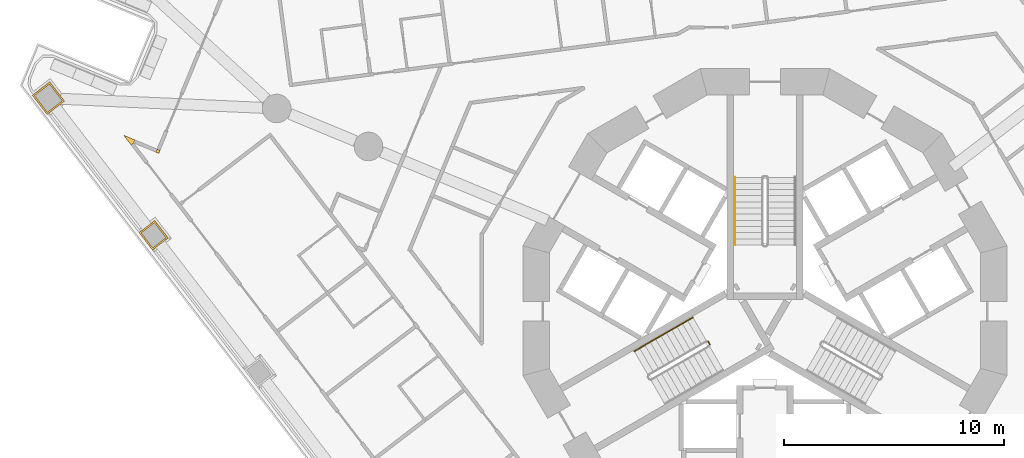
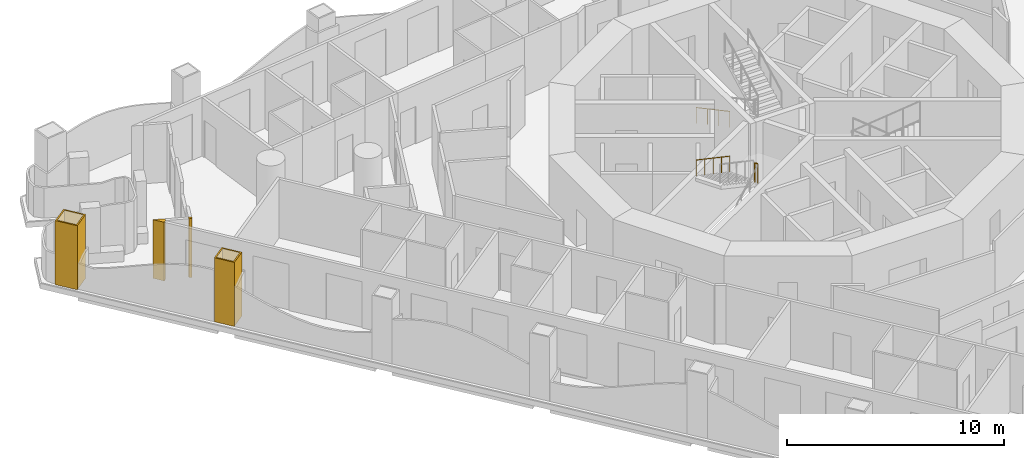
# One storey, part 15 of 19: 4 coverings, 4 railings.
"""IFC4 building model written with IfcOpenShell, lengths in metres."""

from ifc_helpers import new_model, si_unit, direction, frame, origin, origin_2d, place, context, subcontext, project, spatial, polyline, circle, outline, extrude, material, layer, layer_set, type_object, element, save


model = new_model("IFC4")

# Units and contexts
model_context = context("Model", 3, precision=1e-05, world=origin(), true_north=direction((0.0, 1.0)))
body_context = subcontext(model_context, "Body", "Model", "MODEL_VIEW")
ifc_project = project(units=[si_unit("LENGTHUNIT", "METRE"), si_unit("AREAUNIT", "SQUARE_METRE"), si_unit("VOLUMEUNIT", "CUBIC_METRE"), si_unit("PLANEANGLEUNIT", "RADIAN"), si_unit("MASSUNIT", "GRAM", prefix="KILO")], contexts=[model_context])

# Site, building, storey
site_placement = place(None, origin())
site = spatial("IfcSite", under=ifc_project, at=site_placement, CompositionType="ELEMENT")
building_placement = place(site_placement, origin())
building = spatial("IfcBuilding", under=site, at=building_placement, Name="Trine Commons Tower", CompositionType="ELEMENT")
storey_placement = place(building_placement, frame((0.0, 0.0, 61.199951171875)))
storey = spatial("IfcBuildingStorey", under=building, at=storey_placement, Name="L14", CompositionType="ELEMENT", Elevation=61.199951171875)

# Coverings
ifc_material_1 = material(Name="Aluminium-framed insulated wall panel", Category="aluminium")
ifc_layer_1 = layer(ifc_material_1, 0.14990234375)
ifc_layer_set_1 = layer_set([ifc_layer_1], Name="Aluminium-framed insulated wall panel")
covering_type_1 = type_object("IfcCoveringType", Name="Glazing corner post, aluminium", PredefinedType="CLADDING", material=ifc_layer_set_1)
covering_1_placement = place(storey_placement, origin())
element("IfcCovering", 1, at=covering_1_placement, inside=storey, type_object=covering_type_1, Name="Glazing corner post 2-01", PredefinedType="CLADDING", context=body_context, shape_type="SweptSolid", body=[
    extrude(outline(polyline([(51.165771484375, 70.038330078125), (51.28466796875, 70.129638671875), (51.342041015625, 70.268310546875), (50.824951171875, 70.482421875), (51.165771484375, 70.038330078125)])), origin(), (0.0, 0.0, 1.0), 3.300048828125),
])
covering_2_placement = place(storey_placement, origin())
element("IfcCovering", 2, at=covering_2_placement, inside=storey, type_object=covering_type_1, Name="Glazing corner post 2-02", PredefinedType="CLADDING", context=body_context, shape_type="SweptSolid", body=[
    extrude(outline(polyline([(52.28759765625, 69.714111328125), (52.42626953125, 69.65673828125), (52.483642578125, 69.79541015625), (52.34521484375, 69.852783203125), (52.28759765625, 69.714111328125)])), origin(), (0.0, 0.0, 1.0), 3.300048828125),
])
ifc_material_2 = material(Name="Limestone, honed", Category="masonry")
ifc_layer_2 = layer(ifc_material_2, 0.074951171875)
ifc_layer_set_2 = layer_set([ifc_layer_2], Name="Limestone, honed")
covering_type_2 = type_object("IfcCoveringType", Name="Limestone column cladding 75", PredefinedType="CLADDING", material=ifc_layer_set_2)
covering_3_placement = place(storey_placement, origin())
element("IfcCovering", 3, at=covering_3_placement, inside=storey, type_object=covering_type_2, Name="Limestone pier cladding 2-07", PredefinedType="CLADDING", context=body_context, shape_type="SweptSolid", body=[
    extrude(outline(polyline([(52.240966796875, 66.599853515625), (51.527099609375, 66.052001953125), (52.1357421875, 65.2587890625), (52.849853515625, 65.806640625), (52.240966796875, 66.599853515625)]), holes=[polyline([(52.227294921875, 66.494873046875), (51.632080078125, 66.0380859375), (52.149658203125, 65.36376953125), (52.74462890625, 65.8203125), (52.227294921875, 66.494873046875)])]), origin(), (0.0, 0.0, 1.0), 3.60009765625),
])
covering_4_placement = place(storey_placement, origin())
element("IfcCovering", 4, at=covering_4_placement, inside=storey, type_object=covering_type_2, Name="Limestone pier cladding 2-08", PredefinedType="CLADDING", context=body_context, shape_type="SweptSolid", body=[
    extrude(outline(polyline([(47.465087890625, 72.90625), (46.671630859375, 72.297607421875), (47.34130859375, 71.4248046875), (48.134765625, 72.033447265625), (47.465087890625, 72.90625)]), holes=[polyline([(47.451171875, 72.801025390625), (46.77685546875, 72.28369140625), (47.355224609375, 71.52978515625), (48.029541015625, 72.04736328125), (47.451171875, 72.801025390625)])]), origin(), (0.0, 0.0, 1.0), 3.60009765625),
])

# Railings
ifc_material_3 = material(Name="Stainless steel balustrade", Category="steel")
railing_type_1 = type_object("IfcRailingType", Name="Stair guard, steel balustrade 1100", PredefinedType="GUARDRAIL", material=ifc_material_3)
railing_1_placement = place(storey_placement, frame((77.490966796875, 60.96484375, 1.800048828125)))
element("IfcRailing", 5, at=railing_1_placement, inside=storey, type_object=railing_type_1, Name="L14 ST2A stair guard 2", PredefinedType="GUARDRAIL", context=body_context, shape_type="SweptSolid", body=[
    extrude(circle(Radius=0.02392578125, at=origin_2d()), frame((0.0, 0.0, 1.076171875), z_axis=(-0.501036270542, 0.865426285481, 0.0), x_axis=(-0.865426285481, -0.501036270542, 0.0)), (0.0, 0.0, 1.0), 0.150146484375),
    extrude(circle(Radius=0.02099609375, at=origin_2d()), origin(), (0.0, 0.0, 1.0), 1.052001953125),
    extrude(circle(Radius=0.02099609375, at=origin_2d()), frame((-0.0751953125, 0.1298828125, 0.0)), (0.0, 0.0, 1.0), 1.052001953125),
])
ifc_material_4 = material(Name="Stainless steel handrail", Category="steel")
railing_type_2 = type_object("IfcRailingType", Name="Stair handrail, steel 900", PredefinedType="HANDRAIL", material=ifc_material_4)
railing_2_placement = place(storey_placement, frame((78.625, 68.570556640625, 0.150146484375)))
element("IfcRailing", 6, at=railing_2_placement, inside=storey, type_object=railing_type_2, Name="L14 ST1A stair handrail 1", PredefinedType="HANDRAIL", context=body_context, shape_type="SweptSolid", body=[
    extrude(circle(Radius=0.02099609375, at=origin_2d()), frame((0.0, 0.0, 0.87890625), z_axis=(0.0, -0.881496589024, 0.472190389079), x_axis=(1.0, 0.0, 0.0)), (0.0, 0.0, 1.0), 3.494140625),
    extrude(circle(Radius=0.01513671875, at=origin_2d()), origin(), (0.0, 0.0, 1.0), 0.85791015625),
    extrude(circle(Radius=0.01513671875, at=origin_2d()), frame((0.0, -1.026611328125, 0.550048828125)), (0.0, 0.0, 1.0), 0.85791015625),
    extrude(circle(Radius=0.01513671875, at=origin_2d()), frame((0.0, -2.053466796875, 1.099853515625)), (0.0, 0.0, 1.0), 0.85791015625),
    extrude(circle(Radius=0.01513671875, at=origin_2d()), frame((0.0, -3.080078125, 1.64990234375)), (0.0, 0.0, 1.0), 0.85791015625),
])
railing_3_placement = place(storey_placement, frame((76.72265625, 62.195556640625, 1.949951171875)))
element("IfcRailing", 7, at=railing_3_placement, inside=storey, type_object=railing_type_2, Name="L14 ST2A stair handrail 3", PredefinedType="HANDRAIL", context=body_context, shape_type="SweptSolid", body=[
    extrude(circle(Radius=0.02099609375, at=origin_2d()), frame((0.0, 0.0, 0.87890625), z_axis=(-0.763354580307, -0.440713956853, 0.472293333596), x_axis=(0.499992328818, -0.866029832698, 0.0)), (0.0, 0.0, 1.0), 1.747314453125),
    extrude(circle(Radius=0.01513671875, at=origin_2d()), origin(), (0.0, 0.0, 1.0), 0.85791015625),
    extrude(circle(Radius=0.01513671875, at=origin_2d()), frame((-0.6669921875, -0.385009765625, 0.41259765625)), (0.0, 0.0, 1.0), 0.85791015625),
    extrude(circle(Radius=0.01513671875, at=origin_2d()), frame((-1.333740234375, -0.77001953125, 0.8251953125)), (0.0, 0.0, 1.0), 0.85791015625),
])
railing_4_placement = place(storey_placement, frame((75.388916015625, 61.425537109375, 2.775146484375)))
element("IfcRailing", 8, at=railing_4_placement, inside=storey, type_object=railing_type_2, Name="L14 ST2A stair handrail 4", PredefinedType="HANDRAIL", context=body_context, shape_type="SweptSolid", body=[
    extrude(circle(Radius=0.02099609375, at=origin_2d()), frame((0.0, 0.0, 0.87890625), z_axis=(-0.76340495495, -0.440743040072, 0.472184759798), x_axis=(0.499992328818, -0.866029832698, 0.0)), (0.0, 0.0, 1.0), 1.7470703125),
    extrude(circle(Radius=0.01513671875, at=origin_2d()), origin(), (0.0, 0.0, 1.0), 0.85791015625),
    extrude(circle(Radius=0.01513671875, at=origin_2d()), frame((-0.6669921875, -0.385009765625, 0.41259765625)), (0.0, 0.0, 1.0), 0.85791015625),
    extrude(circle(Radius=0.01513671875, at=origin_2d()), frame((-1.333740234375, -0.77001953125, 0.824951171875)), (0.0, 0.0, 1.0), 0.85791015625),
])

save(model, "model.ifc")
